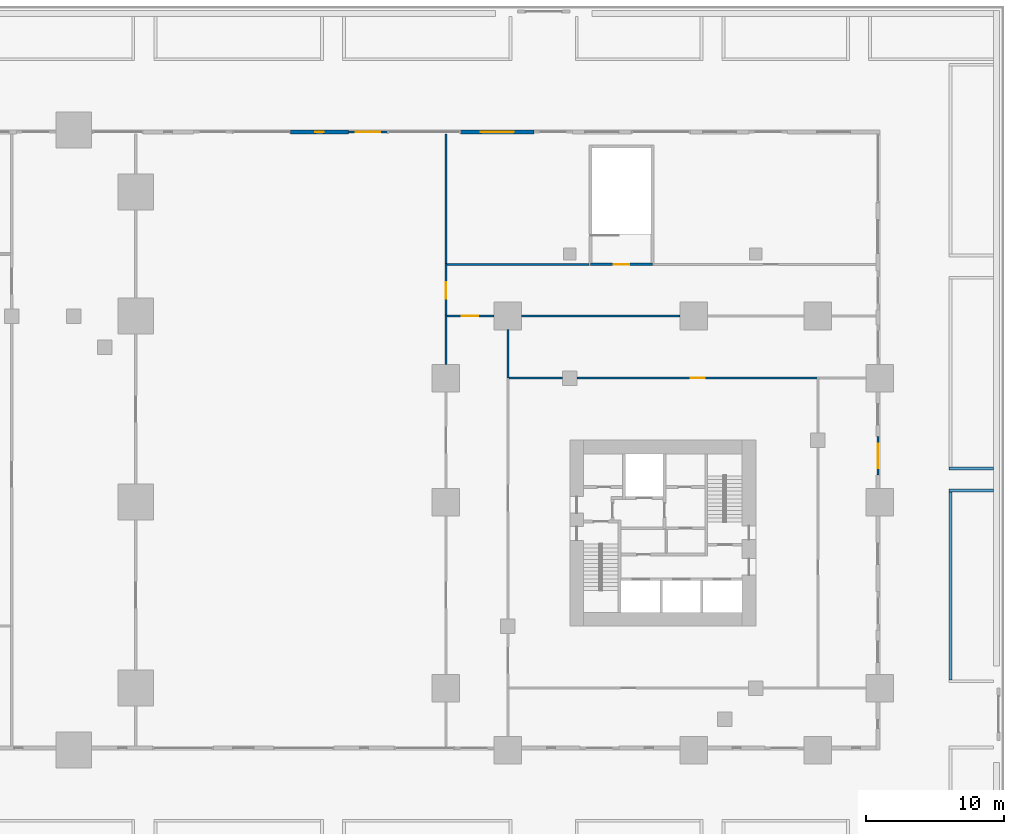
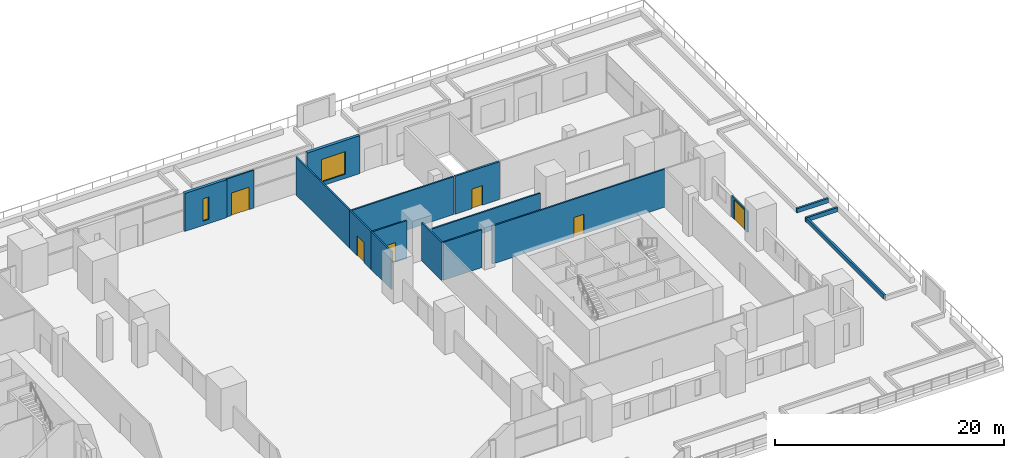
# One storey, part 23 of 26: 17 walls, 6 doors, 2 windows, 8 openings.
"""IFC4 building model written with IfcOpenShell, lengths in metres."""

from ifc_helpers import new_model, si_unit, direction, frame, frame_2d, origin, place, context, subcontext, project, spatial, rectangle, extrude, material, layer, layer_set, type_object, element, fill, save


model = new_model("IFC4")

# Units and contexts
model_context = context("Model", 3, precision=1e-05, world=origin(), true_north=direction((0.0, 1.0)))
body_context = subcontext(model_context, "Body", "Model", "MODEL_VIEW")
ifc_project = project(units=[si_unit("LENGTHUNIT", "METRE"), si_unit("AREAUNIT", "SQUARE_METRE"), si_unit("VOLUMEUNIT", "CUBIC_METRE"), si_unit("PLANEANGLEUNIT", "RADIAN"), si_unit("MASSUNIT", "GRAM", prefix="KILO")], contexts=[model_context])

# Site, building, storey
site_placement = place(None, origin())
site = spatial("IfcSite", under=ifc_project, at=site_placement, CompositionType="ELEMENT")
building_placement = place(site_placement, origin())
building = spatial("IfcBuilding", under=site, at=building_placement, Name="Altepetl Exchange Towers", CompositionType="ELEMENT")
storey_placement = place(building_placement, frame((0.0, 0.0, 16.5)))
storey = spatial("IfcBuildingStorey", under=building, at=storey_placement, Name="L03 Podium terrace", CompositionType="ELEMENT", Elevation=16.5)

# Wall, opening, door
ifc_material_1 = material(Name="Aluminium composite cladding", Category="aluminium")
ifc_layer_1 = layer(ifc_material_1, 0.14990234375)
ifc_layer_set_1 = layer_set([ifc_layer_1], Name="Aluminium composite cladding")
wall_type_1 = type_object("IfcWallType", Name="Infill wall 150 aluminium panel", PredefinedType="SOLIDWALL", material=ifc_layer_set_1)
wall_1_placement = place(storey_placement, frame((125.85009765625, 46.949951171875, 0.0), z_axis=(0.0, 0.0, 1.0), x_axis=(0.0, 1.0, 0.0)))
wall_1 = element("IfcWall", 1, at=wall_1_placement, inside=storey, type_object=wall_type_1, Name="Door bay wall", PredefinedType="SOLIDWALL", context=body_context, shape_type="SweptSolid", body=[
    extrude(rectangle(XDim=2.800048828125, YDim=0.14990234375, at=frame_2d((1.39990234375, 0.0))), origin(), (0.0, 0.0, 1.0), 2.25),
])
opening_1_placement = place(wall_1_placement, frame((0.5, 0.0, 0.0)))
opening_1 = element("IfcOpeningElement", 2, at=opening_1_placement, cuts=wall_1, Name="Opening L03.E15", PredefinedType="OPENING", context=body_context, shape_type="SweptSolid", body=[
    extrude(rectangle(XDim=1.800048828125, YDim=2.10009765625, at=frame_2d((0.89990234375, 1.050048828125))), frame((0.0, 0.0849609375, 0.0), z_axis=(0.0, -1.0, 0.0), x_axis=(1.0, 0.0, 0.0)), (0.0, 0.0, 1.0), 0.169921875),
])
ifc_material_2 = material(Name="Aluminium 6063-T6 and glass", Category="aluminium")
door_type_1 = type_object("IfcDoorType", Name="Glazed door pair 1800x2100", OperationType="DOUBLE_DOOR_DOUBLE_SWING", PredefinedType="NOTDEFINED", material=ifc_material_2)
door_1_placement = place(opening_1_placement, frame((1.800048828125, 0.0, 0.0), x_axis=(-1.0, 0.0, 0.0)))
door_1 = element("IfcDoor", 3, at=door_1_placement, inside=storey, type_object=door_type_1, Name="Terrace door", OperationType="DOUBLE_DOOR_DOUBLE_SWING", OverallHeight=2.10009765625, OverallWidth=1.800048828125, PredefinedType="NOTDEFINED", context=body_context, shape_type="SweptSolid", body=[
    extrude(rectangle(XDim=1.800048828125, YDim=2.10009765625, at=frame_2d((0.89990234375, 1.050048828125))), frame((0.0, 0.02490234375, 0.0), z_axis=(0.0, -1.0, 0.0), x_axis=(1.0, 0.0, 0.0)), (0.0, 0.0, 1.0), 0.050048828125),
])
fill(opening_1, door_1)

wall_2_placement = place(storey_placement, frame((90.25, 71.85009765625, 0.0), z_axis=(0.0, 0.0, 1.0), x_axis=(-1.0, 0.0, 0.0)))
wall_2 = element("IfcWall", 4, at=wall_2_placement, inside=storey, type_object=wall_type_1, Name="Door bay wall", PredefinedType="SOLIDWALL", context=body_context, shape_type="SweptSolid", body=[
    extrude(rectangle(XDim=2.800048828125, YDim=0.14990234375, at=frame_2d((1.39990234375, 0.0))), origin(), (0.0, 0.0, 1.0), 4.050048828125),
])
opening_2_placement = place(wall_2_placement, frame((0.5, 0.0, 0.0)))
opening_2 = element("IfcOpeningElement", 5, at=opening_2_placement, cuts=wall_2, Name="Opening L03.E02", PredefinedType="OPENING", context=body_context, shape_type="SweptSolid", body=[
    extrude(rectangle(XDim=1.800048828125, YDim=2.39990234375, at=frame_2d((0.89990234375, 1.199951171875))), frame((0.0, 0.0849609375, 0.0), z_axis=(0.0, -1.0, 0.0), x_axis=(1.0, 0.0, 0.0)), (0.0, 0.0, 1.0), 0.169921875),
])
door_type_2 = type_object("IfcDoorType", Name="Glazed door pair 1800x2400", OperationType="DOUBLE_DOOR_DOUBLE_SWING", PredefinedType="NOTDEFINED", material=ifc_material_2)
door_2_placement = place(opening_2_placement, frame((1.800048828125, 0.0, 0.0), x_axis=(-1.0, 0.0, 0.0)))
door_2 = element("IfcDoor", 6, at=door_2_placement, inside=storey, type_object=door_type_2, Name="Terrace door", OperationType="DOUBLE_DOOR_DOUBLE_SWING", OverallHeight=2.39990234375, OverallWidth=1.800048828125, PredefinedType="NOTDEFINED", context=body_context, shape_type="SweptSolid", body=[
    extrude(rectangle(XDim=1.800048828125, YDim=2.39990234375, at=frame_2d((0.89990234375, 1.199951171875))), frame((0.0, 0.02490234375, 0.0), z_axis=(0.0, -1.0, 0.0), x_axis=(1.0, 0.0, 0.0)), (0.0, 0.0, 1.0), 0.050048828125),
])
fill(opening_2, door_2)

# Walls
ifc_material_3 = material(Name="Reinforced concrete C35/45", Category="concrete")
ifc_layer_2 = layer(ifc_material_3, 0.199951171875)
ifc_layer_set_2 = layer_set([ifc_layer_2], Name="Reinforced concrete C35/45")
wall_type_2 = type_object("IfcWallType", Name="Planting bed curb 200", PredefinedType="SOLIDWALL", material=ifc_layer_set_2)
wall_3_placement = place(storey_placement, frame((131.02490234375, 45.841796875, 0.0)))
element("IfcWall", 7, at=wall_3_placement, inside=storey, type_object=wall_type_2, Name="wall:P:L03:CB24n", PredefinedType="SOLIDWALL", context=body_context, shape_type="SweptSolid", body=[
    extrude(rectangle(XDim=3.2001953125, YDim=0.199951171875, at=frame_2d((1.60009765625, 0.0))), origin(), (0.0, 0.0, 1.0), 0.449951171875),
])
wall_4_placement = place(storey_placement, frame((131.125, 32.10009765625, 0.0), z_axis=(0.0, 0.0, 1.0), x_axis=(0.0, 1.0, 0.0)))
element("IfcWall", 8, at=wall_4_placement, inside=storey, type_object=wall_type_2, Name="wall:P:L03:CB24w", PredefinedType="SOLIDWALL", context=body_context, shape_type="SweptSolid", body=[
    extrude(rectangle(XDim=13.6416015625, YDim=0.199951171875, at=frame_2d((6.82080078125, 0.0))), origin(), (0.0, 0.0, 1.0), 0.449951171875),
])
wall_5_placement = place(storey_placement, frame((131.02490234375, 47.441650390625, 0.0)))
element("IfcWall", 9, at=wall_5_placement, inside=storey, type_object=wall_type_2, Name="wall:P:L03:CB25s", PredefinedType="SOLIDWALL", context=body_context, shape_type="SweptSolid", body=[
    extrude(rectangle(XDim=3.2001953125, YDim=0.199951171875, at=frame_2d((1.60009765625, 0.0))), origin(), (0.0, 0.0, 1.0), 0.449951171875),
])
ifc_material_4 = material(Name="Gypsum board on steel studs", Category="steel")
ifc_layer_3 = layer(ifc_material_4, 0.14990234375)
ifc_layer_set_3 = layer_set([ifc_layer_3], Name="Gypsum board on steel studs")
wall_type_3 = type_object("IfcWallType", Name="Podium partition 150", PredefinedType="PARTITIONING", material=ifc_layer_set_3)
wall_6_placement = place(storey_placement, frame((94.5, 54.9951171875, 0.0), z_axis=(0.0, 0.0, 1.0), x_axis=(0.0, 1.0, 0.0)))
element("IfcWall", 10, at=wall_6_placement, inside=storey, type_object=wall_type_3, Name="wall:P:L03:P009", PredefinedType="PARTITIONING", context=body_context, shape_type="SweptSolid", body=[
    extrude(rectangle(XDim=3.579833984375, YDim=0.14990234375, at=frame_2d((1.7900390625, 0.0))), origin(), (0.0, 0.0, 1.0), 4.050048828125),
])

# Wall, opening, door
wall_7_placement = place(storey_placement, frame((94.5, 58.5, 0.0), z_axis=(0.0, 0.0, 1.0), x_axis=(0.0, 1.0, 0.0)))
wall_7 = element("IfcWall", 11, at=wall_7_placement, inside=storey, type_object=wall_type_3, Name="wall:P:L03:P010", PredefinedType="PARTITIONING", context=body_context, shape_type="SweptSolid", body=[
    extrude(rectangle(XDim=3.824951171875, YDim=0.14990234375, at=frame_2d((1.91259765625, 0.0))), origin(), (0.0, 0.0, 1.0), 4.050048828125),
])
opening_3_placement = place(wall_7_placement, frame((1.25, 0.0, 0.0)))
opening_3 = element("IfcOpeningElement", 12, at=opening_3_placement, cuts=wall_7, Name="Opening L03.P016", PredefinedType="OPENING", context=body_context, shape_type="SweptSolid", body=[
    extrude(rectangle(XDim=1.199951171875, YDim=2.10009765625, at=frame_2d((0.60009765625, 1.050048828125))), frame((0.0, 0.0849609375, 0.0), z_axis=(0.0, -1.0, 0.0), x_axis=(1.0, 0.0, 0.0)), (0.0, 0.0, 1.0), 0.169921875),
])
ifc_material_5 = material(Name="Steel fire door", Category="steel")
door_type_3 = type_object("IfcDoorType", Name="Podium fire door 1200 x 2100 double leaf", OperationType="DOUBLE_DOOR_SINGLE_SWING", PredefinedType="DOOR", material=ifc_material_5)
door_3_placement = place(opening_3_placement, frame((1.199951171875, 0.0, 0.0), x_axis=(-1.0, 0.0, 0.0)))
door_3 = element("IfcDoor", 13, at=door_3_placement, inside=storey, type_object=door_type_3, Name="door:P:L03:016", OperationType="DOUBLE_DOOR_SINGLE_SWING", OverallHeight=2.10009765625, OverallWidth=1.199951171875, PredefinedType="DOOR", context=body_context, shape_type="SweptSolid", body=[
    extrude(rectangle(XDim=1.199951171875, YDim=2.10009765625, at=frame_2d((0.60009765625, 1.050048828125))), frame((0.0, 0.02490234375, 0.0), z_axis=(0.0, -1.0, 0.0), x_axis=(1.0, 0.0, 0.0)), (0.0, 0.0, 1.0), 0.050048828125),
])
fill(opening_3, door_3)

# Walls
wall_8_placement = place(storey_placement, frame((94.5, 62.25, 0.0), z_axis=(0.0, 0.0, 1.0), x_axis=(0.0, 1.0, 0.0)))
element("IfcWall", 14, at=wall_8_placement, inside=storey, type_object=wall_type_3, Name="wall:P:L03:P011", PredefinedType="PARTITIONING", context=body_context, shape_type="SweptSolid", body=[
    extrude(rectangle(XDim=9.449951171875, YDim=0.14990234375, at=frame_2d((4.72509765625, 0.0))), origin(), (0.0, 0.0, 1.0), 4.050048828125),
])
wall_9_placement = place(storey_placement, frame((99.0, 54.0, 0.0), z_axis=(0.0, 0.0, 1.0), x_axis=(0.0, 1.0, 0.0)))
element("IfcWall", 15, at=wall_9_placement, inside=storey, type_object=wall_type_3, Name="wall:P:L03:P036", PredefinedType="PARTITIONING", context=body_context, shape_type="SweptSolid", body=[
    extrude(rectangle(XDim=3.5048828125, YDim=0.14990234375, at=frame_2d((1.75244140625, 0.0))), origin(), (0.0, 0.0, 1.0), 4.050048828125),
])

# Wall, opening, door
wall_10_placement = place(storey_placement, frame((94.574951171875, 58.5, 0.0)))
wall_10 = element("IfcWall", 16, at=wall_10_placement, inside=storey, type_object=wall_type_3, Name="wall:P:L03:P037", PredefinedType="PARTITIONING", context=body_context, shape_type="SweptSolid", body=[
    extrude(rectangle(XDim=3.429931640625, YDim=0.14990234375, at=frame_2d((1.71484375, 0.0))), origin(), (0.0, 0.0, 1.0), 4.050048828125),
])
opening_4_placement = place(wall_10_placement, frame((1.074951171875, 0.0, 0.0)))
opening_4 = element("IfcOpeningElement", 17, at=opening_4_placement, cuts=wall_10, Name="Opening L03.P021", PredefinedType="OPENING", context=body_context, shape_type="SweptSolid", body=[
    extrude(rectangle(XDim=1.199951171875, YDim=2.10009765625, at=frame_2d((0.60009765625, 1.050048828125))), frame((0.0, 0.0849609375, 0.0), z_axis=(0.0, -1.0, 0.0), x_axis=(1.0, 0.0, 0.0)), (0.0, 0.0, 1.0), 0.169921875),
])
door_4_placement = place(opening_4_placement, origin())
door_4 = element("IfcDoor", 18, at=door_4_placement, inside=storey, type_object=door_type_3, Name="door:P:L03:021", OperationType="DOUBLE_DOOR_SINGLE_SWING", OverallHeight=2.10009765625, OverallWidth=1.199951171875, PredefinedType="DOOR", context=body_context, shape_type="SweptSolid", body=[
    extrude(rectangle(XDim=1.199951171875, YDim=2.10009765625, at=frame_2d((0.60009765625, 1.050048828125))), frame((0.0, 0.02490234375, 0.0), z_axis=(0.0, -1.0, 0.0), x_axis=(1.0, 0.0, 0.0)), (0.0, 0.0, 1.0), 0.050048828125),
])
fill(opening_4, door_4)

# Wall
wall_11_placement = place(storey_placement, frame((99.074951171875, 54.0, 0.0)))
element("IfcWall", 19, at=wall_11_placement, inside=storey, type_object=wall_type_3, Name="wall:P:L03:P042", PredefinedType="PARTITIONING", context=body_context, shape_type="SweptSolid", body=[
    extrude(rectangle(XDim=3.905029296875, YDim=0.14990234375, at=frame_2d((1.95263671875, 0.0))), origin(), (0.0, 0.0, 1.0), 4.050048828125),
])

# Wall, opening, door
wall_12_placement = place(storey_placement, frame((104.02001953125, 54.0, 0.0)))
wall_12 = element("IfcWall", 20, at=wall_12_placement, inside=storey, type_object=wall_type_3, Name="wall:P:L03:P043", PredefinedType="PARTITIONING", context=body_context, shape_type="SweptSolid", body=[
    extrude(rectangle(XDim=17.47998046875, YDim=0.14990234375, at=frame_2d((8.739990234375, 0.0))), origin(), (0.0, 0.0, 1.0), 4.050048828125),
])
opening_5_placement = place(wall_12_placement, frame((8.25, 0.0, 0.0)))
opening_5 = element("IfcOpeningElement", 21, at=opening_5_placement, cuts=wall_12, Name="Opening L03.P009", PredefinedType="OPENING", context=body_context, shape_type="SweptSolid", body=[
    extrude(rectangle(XDim=1.0, YDim=2.10009765625, at=frame_2d((0.5, 1.050048828125))), frame((0.0, 0.0849609375, 0.0), z_axis=(0.0, -1.0, 0.0), x_axis=(1.0, 0.0, 0.0)), (0.0, 0.0, 1.0), 0.169921875),
])
ifc_material_6 = material(Name="Steel and timber fire door", Category="steel")
door_type_4 = type_object("IfcDoorType", Name="Podium fire door 1000 x 2100 single leaf", OperationType="SINGLE_SWING_LEFT", PredefinedType="DOOR", material=ifc_material_6)
door_5_placement = place(opening_5_placement, origin())
door_5 = element("IfcDoor", 22, at=door_5_placement, inside=storey, type_object=door_type_4, Name="door:P:L03:009", OperationType="SINGLE_SWING_RIGHT", OverallHeight=2.10009765625, OverallWidth=1.0, PredefinedType="DOOR", context=body_context, shape_type="SweptSolid", body=[
    extrude(rectangle(XDim=1.0, YDim=2.10009765625, at=frame_2d((0.5, 1.050048828125))), frame((0.0, 0.02490234375, 0.0), z_axis=(0.0, -1.0, 0.0), x_axis=(1.0, 0.0, 0.0)), (0.0, 0.0, 1.0), 0.050048828125),
])
fill(opening_5, door_5)

# Walls
wall_13_placement = place(storey_placement, frame((99.9951171875, 58.5, 0.0)))
element("IfcWall", 23, at=wall_13_placement, inside=storey, type_object=wall_type_3, Name="wall:P:L03:P046", PredefinedType="PARTITIONING", context=body_context, shape_type="SweptSolid", body=[
    extrude(rectangle(XDim=11.509765625, YDim=0.14990234375, at=frame_2d((5.7548828125, 0.0))), origin(), (0.0, 0.0, 1.0), 2.25),
])
wall_14_placement = place(storey_placement, frame((94.574951171875, 62.25, 0.0)))
element("IfcWall", 24, at=wall_14_placement, inside=storey, type_object=wall_type_3, Name="wall:P:L03:P049", PredefinedType="PARTITIONING", context=body_context, shape_type="SweptSolid", body=[
    extrude(rectangle(XDim=10.324951171875, YDim=0.14990234375, at=frame_2d((5.16259765625, 0.0))), origin(), (0.0, 0.0, 1.0), 4.050048828125),
])

# Wall, opening, door
ifc_layer_4 = layer(ifc_material_3, 0.199951171875)
ifc_layer_set_4 = layer_set([ifc_layer_4], Name="Reinforced concrete C35/45")
wall_type_4 = type_object("IfcWallType", Name="Stair enclosure wall 200", PredefinedType="SOLIDWALL", material=ifc_layer_set_4)
wall_15_placement = place(storey_placement, frame((105.0, 62.25, 0.0)))
wall_15 = element("IfcWall", 25, at=wall_15_placement, inside=storey, type_object=wall_type_4, Name="wall:P:L03:P051", PredefinedType="SOLIDWALL", context=body_context, shape_type="SweptSolid", body=[
    extrude(rectangle(XDim=4.5, YDim=0.199951171875, at=frame_2d((2.25, 0.0))), origin(), (0.0, 0.0, 1.0), 4.050048828125),
])
opening_6_placement = place(wall_15_placement, frame((1.699951171875, 0.0, 0.0)))
opening_6 = element("IfcOpeningElement", 26, at=opening_6_placement, cuts=wall_15, Name="Opening L03.P011", PredefinedType="OPENING", context=body_context, shape_type="SweptSolid", body=[
    extrude(rectangle(XDim=1.10009765625, YDim=2.10009765625, at=frame_2d((0.550048828125, 1.050048828125))), frame((0.0, 0.10986328125, 0.0), z_axis=(0.0, -1.0, 0.0), x_axis=(1.0, 0.0, 0.0)), (0.0, 0.0, 1.0), 0.219970703125),
])
door_type_5 = type_object("IfcDoorType", Name="Podium fire door 1100 x 2100 single leaf", OperationType="SINGLE_SWING_LEFT", PredefinedType="DOOR", material=ifc_material_5)
door_6_placement = place(opening_6_placement, origin())
door_6 = element("IfcDoor", 27, at=door_6_placement, inside=storey, type_object=door_type_5, Name="door:P:L03:011", OperationType="SINGLE_SWING_RIGHT", OverallHeight=2.10009765625, OverallWidth=1.10009765625, PredefinedType="DOOR", context=body_context, shape_type="SweptSolid", body=[
    extrude(rectangle(XDim=1.10009765625, YDim=2.10009765625, at=frame_2d((0.550048828125, 1.050048828125))), frame((0.0, 0.02490234375, 0.0), z_axis=(0.0, -1.0, 0.0), x_axis=(1.0, 0.0, 0.0)), (0.0, 0.0, 1.0), 0.050048828125),
])
fill(opening_6, door_6)

# Wall, opening, window
ifc_material_7 = material(Name="Cantera limestone cladding", Category="masonry")
ifc_layer_5 = layer(ifc_material_7, 0.300048828125)
ifc_layer_set_5 = layer_set([ifc_layer_5], Name="Cantera limestone cladding")
wall_type_5 = type_object("IfcWallType", Name="Stone wall panel 300", PredefinedType="ELEMENTEDWALL", material=ifc_layer_set_5)
wall_16_placement = place(storey_placement, frame((100.89990234375, 71.85009765625, 0.0), z_axis=(0.0, 0.0, 1.0), x_axis=(-1.0, 0.0, 0.0)))
wall_16 = element("IfcWall", 28, at=wall_16_placement, inside=storey, type_object=wall_type_5, Name="Stone wall panel", PredefinedType="ELEMENTEDWALL", context=body_context, shape_type="SweptSolid", body=[
    extrude(rectangle(XDim=5.324951171875, YDim=0.300048828125, at=frame_2d((2.66259765625, 0.0))), origin(), (0.0, 0.0, 1.0), 4.050048828125),
])
opening_7_placement = place(wall_16_placement, frame((1.46240234375, 0.0, 0.449951171875)))
opening_7 = element("IfcOpeningElement", 29, at=opening_7_placement, cuts=wall_16, Name="Opening W1", PredefinedType="OPENING", context=body_context, shape_type="SweptSolid", body=[
    extrude(rectangle(XDim=2.39990234375, YDim=2.39990234375, at=frame_2d((1.199951171875, 1.199951171875))), frame((0.0, 0.16015625, 0.0), z_axis=(0.0, -1.0, 0.0), x_axis=(1.0, 0.0, 0.0)), (0.0, 0.0, 1.0), 0.320068359375),
])
window_type_1 = type_object("IfcWindowType", Name="Shopfront window 2400x2400", PartitioningType="SINGLE_PANEL", PredefinedType="WINDOW", material=ifc_material_2)
window_1_placement = place(opening_7_placement, origin())
window_1 = element("IfcWindow", 30, at=window_1_placement, inside=storey, type_object=window_type_1, Name="Window", OverallHeight=2.39990234375, OverallWidth=2.39990234375, PartitioningType="SINGLE_PANEL", PredefinedType="WINDOW", context=body_context, shape_type="SweptSolid", body=[
    extrude(rectangle(XDim=2.39990234375, YDim=2.39990234375, at=frame_2d((1.199951171875, 1.199951171875))), frame((0.0, 0.030029296875, 0.0), z_axis=(0.0, -1.0, 0.0), x_axis=(1.0, 0.0, 0.0)), (0.0, 0.0, 1.0), 0.06005859375),
])
fill(opening_7, window_1)

wall_17_placement = place(storey_placement, frame((87.449951171875, 71.85009765625, 0.0), z_axis=(0.0, 0.0, 1.0), x_axis=(-1.0, 0.0, 0.0)))
wall_17 = element("IfcWall", 31, at=wall_17_placement, inside=storey, type_object=wall_type_5, Name="Stone wall panel", PredefinedType="ELEMENTEDWALL", context=body_context, shape_type="SweptSolid", body=[
    extrude(rectangle(XDim=4.224853515625, YDim=0.300048828125, at=frame_2d((2.1123046875, 0.0))), origin(), (0.0, 0.0, 1.0), 4.050048828125),
])
opening_8_placement = place(wall_17_placement, frame((1.8125, 0.0, 0.449951171875)))
opening_8 = element("IfcOpeningElement", 32, at=opening_8_placement, cuts=wall_17, Name="Opening W3", PredefinedType="OPENING", context=body_context, shape_type="SweptSolid", body=[
    extrude(rectangle(XDim=0.60009765625, YDim=2.39990234375, at=frame_2d((0.300048828125, 1.199951171875))), frame((0.0, 0.16015625, 0.0), z_axis=(0.0, -1.0, 0.0), x_axis=(1.0, 0.0, 0.0)), (0.0, 0.0, 1.0), 0.320068359375),
])
window_type_2 = type_object("IfcWindowType", Name="Tall slot window 600x2400", PartitioningType="SINGLE_PANEL", PredefinedType="WINDOW", material=ifc_material_2)
window_2_placement = place(opening_8_placement, origin())
window_2 = element("IfcWindow", 33, at=window_2_placement, inside=storey, type_object=window_type_2, Name="Window", OverallHeight=2.39990234375, OverallWidth=0.60009765625, PartitioningType="SINGLE_PANEL", PredefinedType="WINDOW", context=body_context, shape_type="SweptSolid", body=[
    extrude(rectangle(XDim=0.60009765625, YDim=2.39990234375, at=frame_2d((0.300048828125, 1.199951171875))), frame((0.0, 0.030029296875, 0.0), z_axis=(0.0, -1.0, 0.0), x_axis=(1.0, 0.0, 0.0)), (0.0, 0.0, 1.0), 0.06005859375),
])
fill(opening_8, window_2)

save(model, "model.ifc")
